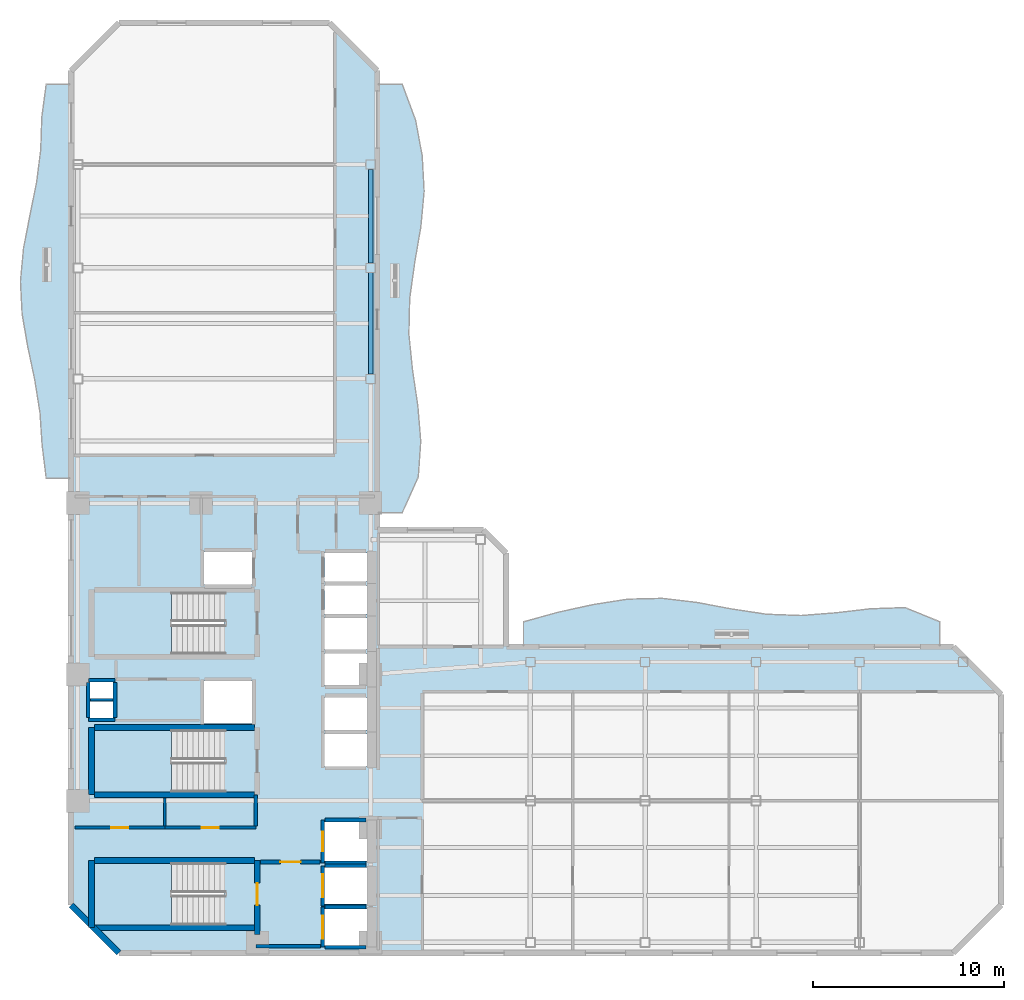
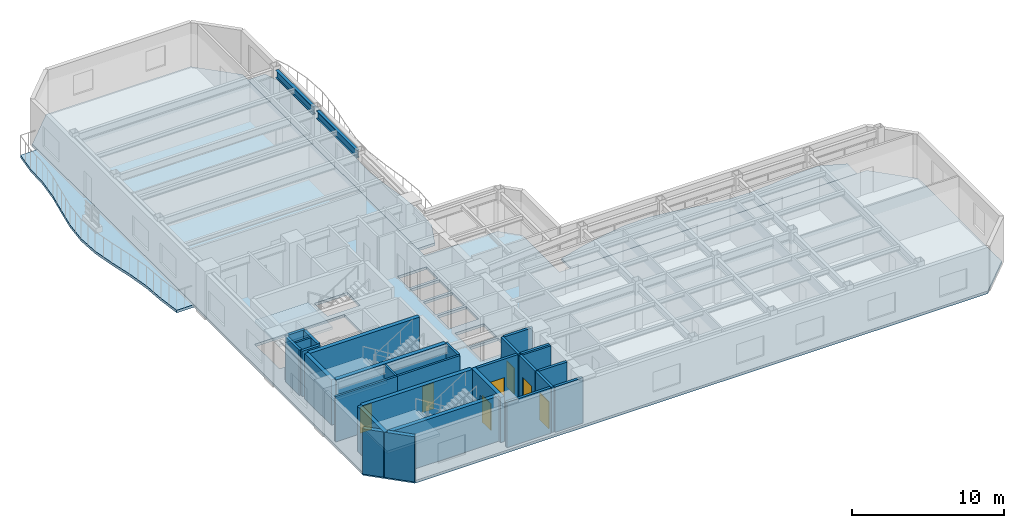
# One storey, part 2 of 9: 27 walls, 7 doors, 7 slabs, 2 beams, 7 openings, 3 elements without a shape of their own.
"""IFC4 building model written with IfcOpenShell, lengths in metres."""

import ifcopenshell
import ifcopenshell.guid

model = None  # the IFC model being written
_history = None  # IfcOwnerHistory: only IFC2X3 demands one
_inside = {}  # id of a spatial element -> (the spatial element, [elements in it])
_under = {}  # id of a project, library or spatial element -> (it, [spatial elements below it])
_declared = {}  # id of a project -> (the project, [libraries it declares])
_typed = {}  # id of a type object -> (the type object, [elements of that type])
_made_of = {}  # id of a material, layer set ... -> (it, [elements and type objects made of it])


def new_model(schema):
    """Start an empty IFC model of exactly this schema.

    Asked for "IFC4X3", IfcOpenShell would pick the latest addendum, in which some entities
    have other attributes; the version numbers below select the first issue.
    IFC2X3 requires an IfcOwnerHistory on every rooted entity: one is made here for all.
    """
    global model, _history
    if schema == "IFC4X3":
        model = ifcopenshell.file(schema_version=(4, 3, 0, 0))
    else:
        model = ifcopenshell.file(schema=schema)
    _inside.clear()
    _under.clear()
    _declared.clear()
    _typed.clear()
    _made_of.clear()
    _history = None
    if model.schema == "IFC2X3":
        org = make("IfcOrganization", Name="unknown")
        user = make(
            "IfcPersonAndOrganization",
            ThePerson=make("IfcPerson", FamilyName="unknown"),
            TheOrganization=org,
        )
        app = make(
            "IfcApplication",
            ApplicationDeveloper=org,
            Version="unknown",
            ApplicationFullName="unknown",
            ApplicationIdentifier="unknown",
        )
        _history = make(
            "IfcOwnerHistory",
            OwningUser=user,
            OwningApplication=app,
            ChangeAction="ADDED",
            CreationDate=0,
        )
    return model


def make(cls, **values):
    """One entity of the class cls with the attributes given. An attribute that is None is left unset."""
    return model.create_entity(
        cls, **{name: value for name, value in values.items() if value is not None}
    )


def rooted(cls, **values):
    """An entity with a GlobalId (a new one), such as an element, a storey or a relation."""
    return make(cls, GlobalId=ifcopenshell.guid.new(), OwnerHistory=_history, **values)


def si_unit(unit_type, name, prefix=None):
    """IfcSIUnit, for example si_unit("LENGTHUNIT", "METRE", prefix="MILLI")."""
    return make("IfcSIUnit", UnitType=unit_type, Prefix=prefix, Name=name)


def assignment(units):
    """IfcUnitAssignment: the units of a project."""
    return None if units is None else make("IfcUnitAssignment", Units=units)


def point(xyz):
    """IfcCartesianPoint."""
    return None if xyz is None else make("IfcCartesianPoint", Coordinates=xyz)


def direction(xyz):
    """IfcDirection."""
    return None if xyz is None else make("IfcDirection", DirectionRatios=xyz)


def frame(location, z_axis=None, x_axis=None):
    """IfcAxis2Placement3D, a coordinate frame: its origin and axes. An axis left out is left unset."""
    return make(
        "IfcAxis2Placement3D",
        Location=point(location),
        Axis=direction(z_axis),
        RefDirection=direction(x_axis),
    )


def frame_2d(location, x_axis=None):
    """IfcAxis2Placement2D, a coordinate frame in the plane: its origin and x axis."""
    return make(
        "IfcAxis2Placement2D", Location=point(location), RefDirection=direction(x_axis)
    )


def origin():
    """The frame at (0, 0, 0) with its axes left unset."""
    return frame((0.0, 0.0, 0.0))


def origin_2d():
    """The frame at (0, 0) in the plane with its x axis left unset."""
    return frame_2d((0.0, 0.0))


def place(relative_to, where):
    """IfcLocalPlacement: puts the frame where relative to a parent placement (None: the world)."""
    return make(
        "IfcLocalPlacement", PlacementRelTo=relative_to, RelativePlacement=where
    )


def context(
    kind, dimensions, precision=None, world=None, true_north=None, identifier=None
):
    """IfcGeometricRepresentationContext, for example the 3D "Model" context."""
    return make(
        "IfcGeometricRepresentationContext",
        ContextIdentifier=identifier,
        ContextType=kind,
        CoordinateSpaceDimension=dimensions,
        Precision=precision,
        WorldCoordinateSystem=world,
        TrueNorth=true_north,
    )


def subcontext(parent, identifier, kind, view, scale=None):
    """IfcGeometricRepresentationSubContext, for example "Body" below "Model"."""
    return make(
        "IfcGeometricRepresentationSubContext",
        ContextIdentifier=identifier,
        ContextType=kind,
        ParentContext=parent,
        TargetScale=scale,
        TargetView=view,
    )


def project(units=None, contexts=None):
    """IfcProject with its units and contexts."""
    return rooted(
        "IfcProject",
        Name="project",
        RepresentationContexts=contexts,
        UnitsInContext=assignment(units),
    )


def spatial(cls, under=None, at=None, **own):
    """A site, building, storey or space (cls), placed at a placement, below another one or the project."""
    s = rooted(cls, ObjectPlacement=at, **own)
    if under is not None:
        _under.setdefault(under.id(), (under, []))[1].append(s)
    return s


def polyline(points):
    """IfcPolyline through the points."""
    return make("IfcPolyline", Points=[point(p) for p in points])


def profile(cls, at=None, kind="AREA", **sizes):
    """A parametric profile (cls). Its sizes go by their IFC names, for example OverallWidth=200.0."""
    return make(cls, ProfileType=kind, Position=at, **sizes)


def rectangle(**sizes):
    """IfcRectangleProfileDef."""
    return profile("IfcRectangleProfileDef", **sizes)


def i_section(**sizes):
    """IfcIShapeProfileDef."""
    return profile("IfcIShapeProfileDef", **sizes)


def outline(outer, holes=None, kind="AREA"):
    """IfcArbitraryClosedProfileDef: a profile drawn as a closed curve; with holes, ...WithVoids."""
    if holes is None:
        return make("IfcArbitraryClosedProfileDef", ProfileType=kind, OuterCurve=outer)
    return make(
        "IfcArbitraryProfileDefWithVoids",
        ProfileType=kind,
        OuterCurve=outer,
        InnerCurves=holes,
    )


def extrude(swept, where, along, depth):
    """IfcExtrudedAreaSolid: the profile swept, set in the frame where, extruded along a direction by depth."""
    return make(
        "IfcExtrudedAreaSolid",
        SweptArea=swept,
        Position=where,
        ExtrudedDirection=direction(along),
        Depth=depth,
    )


def shape(context_of_items, identifier, shape_type, items):
    """IfcShapeRepresentation: the items that make up one representation, for example the "Body"."""
    return make(
        "IfcShapeRepresentation",
        ContextOfItems=context_of_items,
        RepresentationIdentifier=identifier,
        RepresentationType=shape_type,
        Items=items,
    )


def material(Name=None, Category=None):
    """IfcMaterial."""
    return make("IfcMaterial", Name=Name, Category=Category)


def layer(
    of_material, thickness, ventilated=None, Name=None, Category=None, Priority=None
):
    """IfcMaterialLayer: one layer of a wall or slab, of a material (None: an air gap)."""
    return make(
        "IfcMaterialLayer",
        Material=of_material,
        LayerThickness=thickness,
        IsVentilated=ventilated,
        Name=Name,
        Category=Category,
        Priority=Priority,
    )


def layer_set(layers, Name=None):
    """IfcMaterialLayerSet."""
    return make("IfcMaterialLayerSet", MaterialLayers=layers, LayerSetName=Name)


def material_profile(
    of_material, cross_section, Name=None, Category=None, Priority=None
):
    """IfcMaterialProfile: a cross section and its material."""
    return make(
        "IfcMaterialProfile",
        Name=Name,
        Material=of_material,
        Profile=cross_section,
        Priority=Priority,
        Category=Category,
    )


def profile_set(profiles, Name=None, composite=None):
    """IfcMaterialProfileSet."""
    return make(
        "IfcMaterialProfileSet",
        Name=Name,
        MaterialProfiles=profiles,
        CompositeProfile=composite,
    )


def made_of(thing, what):
    """Note that an element or type object is made of a material, layer set ...; save() writes the relation."""
    if what is not None:
        _made_of.setdefault(what.id(), (what, []))[1].append(thing)
    return thing


def type_object(cls, material=None, **own):
    """A type object (cls), such as IfcWallType, which elements share."""
    return made_of(rooted(cls, **own), material)


def element(
    cls,
    number,
    at=None,
    inside=None,
    cuts=None,
    type_object=None,
    material=None,
    context=None,
    identifier="Body",
    shape_type=None,
    held_by="IfcProductDefinitionShape",
    body=None,
    shapes=None,
    **own,
):
    """One element of the class cls, such as IfcWall. Its Tag is "e" and its number.

    at: its placement. inside: the storey or other place that contains it. cuts: it is an
    opening in that element (IfcRelVoidsElement). A single representation is given by context,
    identifier, shape_type and body (its items); several are given by shapes. held_by: the class
    of the entity that holds the representations. save() writes the other relations.
    """
    e = rooted(cls, Tag="e%d" % number, ObjectPlacement=at, **own)
    if body is not None:
        shapes = [shape(context, identifier, shape_type, body)]
    if shapes is not None:
        e.Representation = make(held_by, Representations=shapes)
    if inside is not None:
        _inside.setdefault(inside.id(), (inside, []))[1].append(e)
    if cuts is not None:
        rooted(
            "IfcRelVoidsElement", RelatingBuildingElement=cuts, RelatedOpeningElement=e
        )
    if type_object is not None:
        _typed.setdefault(type_object.id(), (type_object, []))[1].append(e)
    return made_of(e, material)


def fill(opening, filler):
    """IfcRelFillsElement: the door or window that sits in an opening."""
    return rooted(
        "IfcRelFillsElement",
        RelatingOpeningElement=opening,
        RelatedBuildingElement=filler,
    )


def aggregate(whole, parts):
    """IfcRelAggregates: a whole, such as a stair, and the parts it consists of."""
    return rooted("IfcRelAggregates", RelatingObject=whole, RelatedObjects=parts)


def save(model, path):
    """Write the relations noted so far, then the file.

    IfcRelAggregates (storeys below a building ...), IfcRelContainedInSpatialStructure (elements
    in a storey), IfcRelDefinesByType, IfcRelAssociatesMaterial and IfcRelDeclares: one each for
    every whole, place, type object, material and project.
    """
    for whole, parts in _under.values():
        aggregate(whole, parts)
    for where, things in _inside.values():
        rooted(
            "IfcRelContainedInSpatialStructure",
            RelatedElements=things,
            RelatingStructure=where,
        )
    for kind, things in _typed.values():
        rooted("IfcRelDefinesByType", RelatedObjects=things, RelatingType=kind)
    for what, things in _made_of.values():
        rooted("IfcRelAssociatesMaterial", RelatedObjects=things, RelatingMaterial=what)
    for by, libraries in _declared.values():
        rooted("IfcRelDeclares", RelatingContext=by, RelatedDefinitions=libraries)
    model.write(path)


model = new_model("IFC4")

# Units and contexts
model_context = context("Model", 3, precision=1e-05, world=origin(), true_north=direction((0.0, 1.0)))
body_context = subcontext(model_context, "Body", "Model", "MODEL_VIEW")
ifc_project = project(units=[si_unit("LENGTHUNIT", "METRE"), si_unit("AREAUNIT", "SQUARE_METRE"), si_unit("VOLUMEUNIT", "CUBIC_METRE"), si_unit("PLANEANGLEUNIT", "RADIAN"), si_unit("MASSUNIT", "GRAM", prefix="KILO")], contexts=[model_context])

# Site, building, storey
site_placement = place(None, origin())
site = spatial("IfcSite", under=ifc_project, at=site_placement, CompositionType="ELEMENT")
building_placement = place(site_placement, origin())
building = spatial("IfcBuilding", under=site, at=building_placement, Name="Mawjaban Terraces University", CompositionType="ELEMENT")
storey_placement = place(building_placement, frame((0.0, 0.0, 161.89990234375)))
storey = spatial("IfcBuildingStorey", under=building, at=storey_placement, Name="L39", CompositionType="ELEMENT", Elevation=161.89990234375)

# Beams
ifc_material_1 = material(Name="Steel ASTM A572 Grade 50", Category="steel")
ifc_material_profile = material_profile(ifc_material_1, i_section(OverallWidth=0.22998046875, OverallDepth=0.616943359375, WebThickness=0.01318359375, FlangeThickness=0.022216796875, at=origin_2d()), Name="W610X140")
ifc_profile_set = profile_set([ifc_material_profile], Name="Steel ASTM A572 Grade 50")
beam_type = type_object("IfcBeamType", Name="Beam_B_W610X140", PredefinedType="BEAM", material=ifc_profile_set)
beam_1_placement = place(storey_placement, frame((37.64990234375, 30.25, 3.3310546875), z_axis=(0.0, 1.0, 0.0), x_axis=(-1.0, 0.0, 0.0)))
element("IfcBeam", 1, at=beam_1_placement, inside=storey, type_object=beam_type, Name="L39 Beam BM-L39-NS-10", PredefinedType="BEAM", context=body_context, shape_type="SweptSolid", body=[
    extrude(i_section(OverallWidth=0.22998046875, OverallDepth=0.616943359375, WebThickness=0.01318359375, FlangeThickness=0.022216796875, at=origin_2d()), origin(), (0.0, 0.0, 1.0), 5.300048828125),
])
beam_2_placement = place(storey_placement, frame((37.64990234375, 36.050048828125, 3.3310546875), z_axis=(0.0, 1.0, 0.0), x_axis=(-1.0, 0.0, 0.0)))
element("IfcBeam", 2, at=beam_2_placement, inside=storey, type_object=beam_type, Name="L39 Beam BM-L39-NS-11", PredefinedType="BEAM", context=body_context, shape_type="SweptSolid", body=[
    extrude(i_section(OverallWidth=0.22998046875, OverallDepth=0.616943359375, WebThickness=0.01318359375, FlangeThickness=0.022216796875, at=origin_2d()), origin(), (0.0, 0.0, 1.0), 4.89990234375),
])

# Slabs
ifc_material_2 = material(Name="Concrete C40/50", Category="concrete")
ifc_layer_1 = layer(ifc_material_2, 0.2099609375)
ifc_layer_set_1 = layer_set([ifc_layer_1], Name="Concrete C40/50")
slab_type_1 = type_object("IfcSlabType", Name="BalconySlab_210_Ext", PredefinedType="FLOOR", material=ifc_layer_set_1)
slab_1_placement = place(storey_placement, frame((0.0, 0.0, -0.2099609375)))
element("IfcSlab", 3, at=slab_1_placement, inside=storey, type_object=slab_type_1, Name="L39 Planted Balcony Slab west", PredefinedType="FLOOR", context=body_context, shape_type="SweptSolid", body=[
    extrude(outline(polyline([(22.010009765625, 24.800048828125), (22.010009765625, 45.39990234375), (20.699951171875, 45.39990234375), (20.470947265625, 43.68310546875), (20.4140625, 41.967041015625), (20.194091796875, 40.25), (19.846923828125, 38.532958984375), (19.514892578125, 36.81689453125), (19.35400390625, 35.10009765625), (19.44189453125, 33.383056640625), (19.737060546875, 31.6669921875), (20.10009765625, 29.949951171875), (20.3740234375, 28.23291015625), (20.488037109375, 26.51708984375), (20.699951171875, 24.800048828125), (22.010009765625, 24.800048828125)])), origin(), (0.0, 0.0, 1.0), 0.2099609375),
])
slab_2_placement = place(storey_placement, frame((0.0, 0.0, -0.2099609375)))
element("IfcSlab", 4, at=slab_2_placement, inside=storey, type_object=slab_type_1, Name="L39 Planted Balcony Slab inner_north", PredefinedType="FLOOR", context=body_context, shape_type="SweptSolid", body=[
    extrude(outline(polyline([(45.64111328125, 15.989990234375), (67.39990234375, 15.989990234375), (67.39990234375, 17.300048828125), (65.5869140625, 18.0439453125), (63.77392578125, 17.98291015625), (61.9599609375, 17.77197265625), (60.14697265625, 17.6298828125), (58.333984375, 17.697998046875), (56.52001953125, 17.971923828125), (54.70703125, 18.31298828125), (52.89404296875, 18.527099609375), (51.0810546875, 18.485107421875), (49.26708984375, 18.198974609375), (47.4541015625, 17.802978515625), (45.64111328125, 17.300048828125), (45.64111328125, 15.989990234375)])), origin(), (0.0, 0.0, 1.0), 0.2099609375),
])
slab_3_placement = place(storey_placement, frame((0.0, 0.0, -0.2099609375)))
element("IfcSlab", 5, at=slab_3_placement, inside=storey, type_object=slab_type_1, Name="L39 Planted Balcony Slab inner_east", PredefinedType="FLOOR", context=body_context, shape_type="SweptSolid", body=[
    extrude(outline(polyline([(39.300048828125, 23.0), (40.14111328125, 24.866943359375), (40.27099609375, 26.73291015625), (40.117919921875, 28.60009765625), (39.840087890625, 30.467041015625), (39.64990234375, 32.3330078125), (39.693115234375, 34.199951171875), (39.9541015625, 36.06689453125), (40.27490234375, 37.93310546875), (40.447021484375, 39.800048828125), (40.345947265625, 41.6669921875), (39.998046875, 43.532958984375), (39.300048828125, 45.39990234375), (37.989990234375, 45.39990234375), (37.989990234375, 23.0), (39.300048828125, 23.0)])), origin(), (0.0, 0.0, 1.0), 0.2099609375),
])
ifc_layer_2 = layer(ifc_material_2, 0.2099609375)
ifc_layer_set_2 = layer_set([ifc_layer_2], Name="Concrete C40/50")
slab_type_2 = type_object("IfcSlabType", Name="CompositeSlab_210", PredefinedType="FLOOR", material=ifc_layer_set_2)
slab_4_placement = place(storey_placement, frame((0.0, 0.0, -0.2099609375)))
element("IfcSlab", 6, at=slab_4_placement, inside=storey, type_object=slab_type_2, Name="L39 Primary Structural Slab", PredefinedType="FLOOR", context=body_context, shape_type="SweptSolid", body=[
    extrude(outline(polyline([(24.5, 0.0), (68.10009765625, 0.0), (70.60009765625, 2.5), (70.60009765625, 13.5), (68.10009765625, 16.0), (44.740966796875, 16.0), (44.740966796875, 20.89990234375), (43.541015625, 22.10009765625), (38.0, 22.10009765625), (38.0, 46.10009765625), (35.5, 48.60009765625), (24.5, 48.60009765625), (22.0, 46.10009765625), (22.0, 2.5), (24.5, 0.0)]), holes=[polyline([(30.014892578125, 4.699951171875), (23.199951171875, 4.699951171875), (23.199951171875, 1.449951171875), (30.014892578125, 1.449951171875), (30.014892578125, 4.699951171875)]), polyline([(30.014892578125, 18.85009765625), (23.199951171875, 18.85009765625), (23.199951171875, 15.60009765625), (30.014892578125, 15.60009765625), (30.014892578125, 18.85009765625)]), polyline([(30.014892578125, 11.64990234375), (23.199951171875, 11.64990234375), (23.199951171875, 8.39990234375), (30.014892578125, 8.39990234375), (30.014892578125, 11.64990234375)]), polyline([(35.25, 0.39990234375), (37.449951171875, 0.39990234375), (37.449951171875, 2.300048828125), (35.25, 2.300048828125), (35.25, 0.39990234375)]), polyline([(35.25, 2.550048828125), (37.449951171875, 2.550048828125), (37.449951171875, 4.449951171875), (35.25, 4.449951171875), (35.25, 2.550048828125)]), polyline([(35.25, 4.800048828125), (37.449951171875, 4.800048828125), (37.449951171875, 6.85009765625), (35.25, 6.85009765625), (35.25, 4.800048828125)]), polyline([(35.25, 9.75), (37.449951171875, 9.75), (37.449951171875, 11.449951171875), (35.25, 11.449951171875), (35.25, 9.75)]), polyline([(35.25, 11.64990234375), (37.449951171875, 11.64990234375), (37.449951171875, 13.35009765625), (35.25, 13.35009765625), (35.25, 11.64990234375)]), polyline([(28.949951171875, 12.0), (31.449951171875, 12.0), (31.449951171875, 14.199951171875), (28.949951171875, 14.199951171875), (28.949951171875, 12.0)]), polyline([(35.25, 14.0), (37.449951171875, 14.0), (37.449951171875, 15.64990234375), (35.25, 15.64990234375), (35.25, 14.0)]), polyline([(35.25, 15.85009765625), (37.449951171875, 15.85009765625), (37.449951171875, 17.5), (35.25, 17.5), (35.25, 15.85009765625)]), polyline([(35.25, 17.699951171875), (37.449951171875, 17.699951171875), (37.449951171875, 19.199951171875), (35.25, 19.199951171875), (35.25, 17.699951171875)]), polyline([(35.25, 19.39990234375), (37.449951171875, 19.39990234375), (37.449951171875, 20.89990234375), (35.25, 20.89990234375), (35.25, 19.39990234375)]), polyline([(28.949951171875, 19.25), (31.449951171875, 19.25), (31.449951171875, 20.949951171875), (28.949951171875, 20.949951171875), (28.949951171875, 19.25)]), polyline([(23.0, 12.25), (24.199951171875, 12.25), (24.199951171875, 13.14990234375), (23.0, 13.14990234375), (23.0, 12.25)]), polyline([(23.0, 13.300048828125), (24.199951171875, 13.300048828125), (24.199951171875, 14.179931640625), (23.0, 14.179931640625), (23.0, 13.300048828125)])]), origin(), (0.0, 0.0, 1.0), 0.2099609375),
])

# Stair, slab
stair_type = type_object("IfcStairType", Name="Stair_Core1550_H39", PredefinedType="HALF_TURN_STAIR", material=ifc_material_2)
stair_1_placement = place(storey_placement, origin())
stair_1 = element("IfcStair", 7, at=stair_1_placement, inside=storey, type_object=stair_type, Name="L39 Core Exit Stair 1", PredefinedType="HALF_TURN_STAIR")
ifc_layer_3 = layer(ifc_material_2, 0.199951171875)
ifc_layer_set_3 = layer_set([ifc_layer_3], Name="Concrete C40/50")
slab_type_3 = type_object("IfcSlabType", Name="StairLandingSlab_200", PredefinedType="LANDING", material=ifc_layer_set_3)
slab_5_placement = place(storey_placement, frame((0.0, 0.0, 1.75)))
slab_5 = element("IfcSlab", 8, at=slab_5_placement, type_object=slab_type_3, Name="ST-1 landing 1", PredefinedType="LANDING", context=body_context, shape_type="SweptSolid", body=[
    extrude(outline(polyline([(27.25, 4.699951171875), (23.199951171875, 4.699951171875), (23.199951171875, 1.449951171875), (27.25, 1.449951171875), (27.25, 4.699951171875)])), origin(), (0.0, 0.0, 1.0), 0.2001953125),
])
aggregate(stair_1, [slab_5])

stair_2_placement = place(storey_placement, origin())
stair_2 = element("IfcStair", 9, at=stair_2_placement, inside=storey, type_object=stair_type, Name="L39 Core Exit Stair 2", PredefinedType="HALF_TURN_STAIR")
slab_6_placement = place(storey_placement, frame((0.0, 0.0, 1.75)))
slab_6 = element("IfcSlab", 10, at=slab_6_placement, type_object=slab_type_3, Name="ST-2 landing 1", PredefinedType="LANDING", context=body_context, shape_type="SweptSolid", body=[
    extrude(outline(polyline([(27.25, 18.85009765625), (23.199951171875, 18.85009765625), (23.199951171875, 15.60009765625), (27.25, 15.60009765625), (27.25, 18.85009765625)])), origin(), (0.0, 0.0, 1.0), 0.2001953125),
])
aggregate(stair_2, [slab_6])

stair_3_placement = place(storey_placement, origin())
stair_3 = element("IfcStair", 11, at=stair_3_placement, inside=storey, type_object=stair_type, Name="L39 Core Exit Stair 3", PredefinedType="HALF_TURN_STAIR")
slab_7_placement = place(storey_placement, frame((0.0, 0.0, 1.75)))
slab_7 = element("IfcSlab", 12, at=slab_7_placement, type_object=slab_type_3, Name="ST-3 landing 1", PredefinedType="LANDING", context=body_context, shape_type="SweptSolid", body=[
    extrude(outline(polyline([(27.25, 11.64990234375), (23.199951171875, 11.64990234375), (23.199951171875, 8.39990234375), (27.25, 8.39990234375), (27.25, 11.64990234375)])), origin(), (0.0, 0.0, 1.0), 0.2001953125),
])
aggregate(stair_3, [slab_7])

# Wall, opening, door
ifc_material_3 = material(Name="Fire-rated gypsum board on steel stud", Category="steel")
ifc_layer_4 = layer(ifc_material_3, 0.159912109375)
ifc_layer_set_4 = layer_set([ifc_layer_4], Name="Fire-rated gypsum board on steel stud")
wall_type_1 = type_object("IfcWallType", Name="CorridorPartition_160", PredefinedType="PARTITIONING", material=ifc_layer_set_4)
wall_1_placement = place(storey_placement, frame((26.89990234375, 6.550048828125, 0.0), z_axis=(0.0, 0.0, 1.0), x_axis=(-1.0, 0.0, 0.0)))
wall_1 = element("IfcWall", 13, at=wall_1_placement, inside=storey, type_object=wall_type_1, Name="L39 Core Washroom Lobby Partition 4", PredefinedType="PARTITIONING", context=body_context, shape_type="SweptSolid", body=[
    extrude(rectangle(XDim=4.699951171875, YDim=0.159912109375, at=frame_2d((2.35009765625, 0.0))), origin(), (0.0, 0.0, 1.0), 3.64013671875),
])
opening_1_placement = place(wall_1_placement, frame((1.909912109375, 0.0, 0.0)))
opening_1 = element("IfcOpeningElement", 14, at=opening_1_placement, cuts=wall_1, Name="Opening ID-088", PredefinedType="OPENING", context=body_context, shape_type="SweptSolid", body=[
    extrude(rectangle(XDim=0.8798828125, YDim=2.10009765625, at=frame_2d((0.43994140625, 1.050048828125))), frame((0.0, 0.08984375, 0.0), z_axis=(0.0, -1.0, 0.0), x_axis=(1.0, 0.0, 0.0)), (0.0, 0.0, 1.0), 0.179931640625),
])
ifc_material_4 = material(Name="Powder-coated steel frame and solid acoustic timber leaf", Category="steel")
door_type_1 = type_object("IfcDoorType", Name="ToiletDoor_880x2100", OperationType="NOTDEFINED", PredefinedType="DOOR", material=ifc_material_4)
door_1_placement = place(opening_1_placement, origin())
door_1 = element("IfcDoor", 15, at=door_1_placement, inside=storey, type_object=door_type_1, Name="L39 Male Toilet Door", OperationType="SINGLE_SWING_LEFT", OverallHeight=2.10009765625, OverallWidth=0.8798828125, PredefinedType="DOOR", context=body_context, shape_type="SweptSolid", body=[
    extrude(rectangle(XDim=0.8798828125, YDim=2.10009765625, at=frame_2d((0.43994140625, 1.050048828125))), frame((0.0, 0.02490234375, 0.0), z_axis=(0.0, -1.0, 0.0), x_axis=(1.0, 0.0, 0.0)), (0.0, 0.0, 1.0), 0.050048828125),
])
fill(opening_1, door_1)

wall_2_placement = place(storey_placement, frame((31.64990234375, 6.550048828125, 0.0), z_axis=(0.0, 0.0, 1.0), x_axis=(-1.0, 0.0, 0.0)))
wall_2 = element("IfcWall", 16, at=wall_2_placement, inside=storey, type_object=wall_type_1, Name="L39 Core Washroom Lobby Partition 7", PredefinedType="PARTITIONING", context=body_context, shape_type="SweptSolid", body=[
    extrude(rectangle(XDim=4.75, YDim=0.159912109375, at=frame_2d((2.375, 0.0))), origin(), (0.0, 0.0, 1.0), 3.64013671875),
])
opening_2_placement = place(wall_2_placement, frame((1.93505859375, 0.0, 0.0)))
opening_2 = element("IfcOpeningElement", 17, at=opening_2_placement, cuts=wall_2, Name="Opening ID-088", PredefinedType="OPENING", context=body_context, shape_type="SweptSolid", body=[
    extrude(rectangle(XDim=0.8798828125, YDim=2.10009765625, at=frame_2d((0.43994140625, 1.050048828125))), frame((0.0, 0.08984375, 0.0), z_axis=(0.0, -1.0, 0.0), x_axis=(1.0, 0.0, 0.0)), (0.0, 0.0, 1.0), 0.179931640625),
])
door_2_placement = place(opening_2_placement, origin())
door_2 = element("IfcDoor", 18, at=door_2_placement, inside=storey, type_object=door_type_1, Name="L39 Accessible Toilet Door", OperationType="SINGLE_SWING_RIGHT", OverallHeight=2.10009765625, OverallWidth=0.8798828125, PredefinedType="DOOR", context=body_context, shape_type="SweptSolid", body=[
    extrude(rectangle(XDim=0.8798828125, YDim=2.10009765625, at=frame_2d((0.43994140625, 1.050048828125))), frame((0.0, 0.02490234375, 0.0), z_axis=(0.0, -1.0, 0.0), x_axis=(1.0, 0.0, 0.0)), (0.0, 0.0, 1.0), 0.050048828125),
])
fill(opening_2, door_2)

# Walls
wall_3_placement = place(storey_placement, frame((31.64990234375, 8.239990234375, 0.0), z_axis=(0.0, 0.0, 1.0), x_axis=(0.0, -1.0, 0.0)))
element("IfcWall", 19, at=wall_3_placement, inside=storey, type_object=wall_type_1, Name="L39 Passenger Lift Lobby Partition 31", PredefinedType="PARTITIONING", context=body_context, shape_type="SweptSolid", body=[
    extrude(rectangle(XDim=1.614990234375, YDim=0.159912109375, at=frame_2d((0.8076171875, 0.0))), origin(), (0.0, 0.0, 1.0), 3.64013671875),
])
ifc_material_5 = material(Name="Insulated terracotta rainscreen on concrete backup C40/50", Category="masonry")
ifc_layer_5 = layer(ifc_material_5, 0.300048828125)
ifc_layer_set_5 = layer_set([ifc_layer_5], Name="Insulated terracotta rainscreen on concrete backup C40/50")
wall_type_2 = type_object("IfcWallType", Name="ExtTerracottaWall_300", PredefinedType="SOLIDWALL", material=ifc_layer_set_5)
wall_4_placement = place(storey_placement, frame((22.0, 2.5, 0.0), z_axis=(0.0, 0.0, 1.0), x_axis=(0.707106781187, -0.707106781187, 0.0)))
element("IfcWall", 20, at=wall_4_placement, inside=storey, type_object=wall_type_2, Name="L39 Exterior Terracotta Wall 14", PredefinedType="SOLIDWALL", context=body_context, shape_type="SweptSolid", body=[
    extrude(rectangle(XDim=3.53564453125, YDim=0.300048828125, at=frame_2d((1.767822265625, 0.0))), origin(), (0.0, 0.0, 1.0), 3.64013671875),
])

# Wall, opening, door
ifc_layer_6 = layer(ifc_material_2, 0.199951171875)
ifc_layer_set_6 = layer_set([ifc_layer_6], Name="Concrete C40/50")
wall_type_3 = type_object("IfcWallType", Name="FireLobbyWall_200", PredefinedType="SOLIDWALL", material=ifc_layer_set_6)
wall_5_placement = place(storey_placement, frame((35.14990234375, 2.39990234375, 0.0), z_axis=(0.0, 0.0, 1.0), x_axis=(0.0, -1.0, 0.0)))
wall_5 = element("IfcWall", 21, at=wall_5_placement, inside=storey, type_object=wall_type_3, Name="L39 Lift FL-1 Hoistway Wall West", PredefinedType="SOLIDWALL", context=body_context, shape_type="SweptSolid", body=[
    extrude(rectangle(XDim=2.099853515625, YDim=0.199951171875, at=frame_2d((1.0498046875, 0.0))), origin(), (0.0, 0.0, 1.0), 3.64013671875),
])
opening_3_placement = place(wall_5_placement, frame((0.449951171875, 0.0, 0.0)))
opening_3 = element("IfcOpeningElement", 22, at=opening_3_placement, cuts=wall_5, Name="Opening LD-FL-1", PredefinedType="OPENING", context=body_context, shape_type="SweptSolid", body=[
    extrude(rectangle(XDim=1.199951171875, YDim=2.14990234375, at=frame_2d((0.60009765625, 1.074951171875))), frame((0.0, 0.10986328125, 0.0), z_axis=(0.0, -1.0, 0.0), x_axis=(1.0, 0.0, 0.0)), (0.0, 0.0, 1.0), 0.219970703125),
])
ifc_material_6 = material(Name="Powder-coated steel frame and fire-rated steel-faced leaf", Category="steel")
door_type_2 = type_object("IfcDoorType", Name="LiftLandingFSAE_1200x2150", OperationType="NOTDEFINED", PredefinedType="DOOR", material=ifc_material_6)
door_3_placement = place(opening_3_placement, origin())
door_3 = element("IfcDoor", 23, at=door_3_placement, inside=storey, type_object=door_type_2, Name="L39 Lift FL-1 Sliding Landing Door", OperationType="DOUBLE_DOOR_SLIDING", OverallHeight=2.14990234375, OverallWidth=1.199951171875, PredefinedType="DOOR", context=body_context, shape_type="SweptSolid", body=[
    extrude(rectangle(XDim=1.199951171875, YDim=2.14990234375, at=frame_2d((0.60009765625, 1.074951171875))), frame((0.0, 0.02490234375, 0.0), z_axis=(0.0, -1.0, 0.0), x_axis=(1.0, 0.0, 0.0)), (0.0, 0.0, 1.0), 0.050048828125),
])
fill(opening_3, door_3)

# Walls
for number, where, z_axis, x_axis, name in (
    (24, (35.280029296875, 0.300048828125, 0.0), (0.0, 0.0, 1.0), (1.0, 0.0, 0.0), "L39 Lift FL-1 Hoistway Wall South"),
    (25, (37.419921875, 2.39990234375, 0.0), (0.0, 0.0, 1.0), (-1.0, 0.0, 0.0), "L39 Lift FL-1 Hoistway Wall North"),
):
    element("IfcWall", number, at=place(storey_placement, frame(where, z_axis=z_axis, x_axis=x_axis)), inside=storey, type_object=wall_type_3, Name=name, PredefinedType="SOLIDWALL", context=body_context, shape_type="SweptSolid", body=[
        extrude(rectangle(XDim=2.139892578125, YDim=0.199951171875, at=frame_2d((1.06982421875, 0.0))), origin(), (0.0, 0.0, 1.0), 3.64013671875),
    ])

# Wall, opening, door
wall_6_placement = place(storey_placement, frame((35.14990234375, 4.550048828125, 0.0), z_axis=(0.0, 0.0, 1.0), x_axis=(0.0, -1.0, 0.0)))
wall_6 = element("IfcWall", 26, at=wall_6_placement, inside=storey, type_object=wall_type_3, Name="L39 Lift FL-2 Hoistway Wall West", PredefinedType="SOLIDWALL", context=body_context, shape_type="SweptSolid", body=[
    extrude(rectangle(XDim=2.10009765625, YDim=0.199951171875, at=frame_2d((1.050048828125, 0.0))), origin(), (0.0, 0.0, 1.0), 3.64013671875),
])
opening_4_placement = place(wall_6_placement, frame((0.449951171875, 0.0, 0.0)))
opening_4 = element("IfcOpeningElement", 27, at=opening_4_placement, cuts=wall_6, Name="Opening LD-FL-2", PredefinedType="OPENING", context=body_context, shape_type="SweptSolid", body=[
    extrude(rectangle(XDim=1.199951171875, YDim=2.14990234375, at=frame_2d((0.60009765625, 1.074951171875))), frame((0.0, 0.10986328125, 0.0), z_axis=(0.0, -1.0, 0.0), x_axis=(1.0, 0.0, 0.0)), (0.0, 0.0, 1.0), 0.219970703125),
])
door_4_placement = place(opening_4_placement, origin())
door_4 = element("IfcDoor", 28, at=door_4_placement, inside=storey, type_object=door_type_2, Name="L39 Lift FL-2 Sliding Landing Door", OperationType="DOUBLE_DOOR_SLIDING", OverallHeight=2.14990234375, OverallWidth=1.199951171875, PredefinedType="DOOR", context=body_context, shape_type="SweptSolid", body=[
    extrude(rectangle(XDim=1.199951171875, YDim=2.14990234375, at=frame_2d((0.60009765625, 1.074951171875))), frame((0.0, 0.02490234375, 0.0), z_axis=(0.0, -1.0, 0.0), x_axis=(1.0, 0.0, 0.0)), (0.0, 0.0, 1.0), 0.050048828125),
])
fill(opening_4, door_4)

# Wall
wall_7_placement = place(storey_placement, frame((37.419921875, 4.550048828125, 0.0), z_axis=(0.0, 0.0, 1.0), x_axis=(-1.0, 0.0, 0.0)))
element("IfcWall", 29, at=wall_7_placement, inside=storey, type_object=wall_type_3, Name="L39 Lift FL-2 Hoistway Wall North", PredefinedType="SOLIDWALL", context=body_context, shape_type="SweptSolid", body=[
    extrude(rectangle(XDim=2.139892578125, YDim=0.199951171875, at=frame_2d((1.06982421875, 0.0))), origin(), (0.0, 0.0, 1.0), 3.64013671875),
])

# Wall, opening, door
wall_8_placement = place(storey_placement, frame((35.14990234375, 6.949951171875, 0.0), z_axis=(0.0, 0.0, 1.0), x_axis=(0.0, -1.0, 0.0)))
wall_8 = element("IfcWall", 30, at=wall_8_placement, inside=storey, type_object=wall_type_3, Name="L39 Lift SL-1 Hoistway Wall West", PredefinedType="SOLIDWALL", context=body_context, shape_type="SweptSolid", body=[
    extrude(rectangle(XDim=2.25, YDim=0.199951171875, at=frame_2d((1.125, 0.0))), origin(), (0.0, 0.0, 1.0), 3.64013671875),
])
opening_5_placement = place(wall_8_placement, frame((0.625, 0.0, 0.0)))
opening_5 = element("IfcOpeningElement", 31, at=opening_5_placement, cuts=wall_8, Name="Opening LD-SL-1", PredefinedType="OPENING", context=body_context, shape_type="SweptSolid", body=[
    extrude(rectangle(XDim=1.0, YDim=2.10009765625, at=frame_2d((0.5, 1.050048828125))), frame((0.0, 0.10986328125, 0.0), z_axis=(0.0, -1.0, 0.0), x_axis=(1.0, 0.0, 0.0)), (0.0, 0.0, 1.0), 0.219970703125),
])
door_type_3 = type_object("IfcDoorType", Name="LiftLandingSliding_1000x2100", OperationType="NOTDEFINED", PredefinedType="DOOR", material=ifc_material_6)
door_5_placement = place(opening_5_placement, origin())
door_5 = element("IfcDoor", 32, at=door_5_placement, inside=storey, type_object=door_type_3, Name="L39 Lift SL-1 Sliding Landing Door", OperationType="DOUBLE_DOOR_SLIDING", OverallHeight=2.10009765625, OverallWidth=1.0, PredefinedType="DOOR", context=body_context, shape_type="SweptSolid", body=[
    extrude(rectangle(XDim=1.0, YDim=2.10009765625, at=frame_2d((0.5, 1.050048828125))), frame((0.0, 0.02490234375, 0.0), z_axis=(0.0, -1.0, 0.0), x_axis=(1.0, 0.0, 0.0)), (0.0, 0.0, 1.0), 0.050048828125),
])
fill(opening_5, door_5)

# Walls
for number, where, z_axis, x_axis, name in (
    (33, (35.280029296875, 4.699951171875, 0.0), (0.0, 0.0, 1.0), (1.0, 0.0, 0.0), "L39 Lift SL-1 Hoistway Wall South"),
    (34, (37.419921875, 6.949951171875, 0.0), (0.0, 0.0, 1.0), (-1.0, 0.0, 0.0), "L39 Lift SL-1 Hoistway Wall North"),
):
    element("IfcWall", number, at=place(storey_placement, frame(where, z_axis=z_axis, x_axis=x_axis)), inside=storey, type_object=wall_type_3, Name=name, PredefinedType="SOLIDWALL", context=body_context, shape_type="SweptSolid", body=[
        extrude(rectangle(XDim=2.139892578125, YDim=0.199951171875, at=frame_2d((1.06982421875, 0.0))), origin(), (0.0, 0.0, 1.0), 3.64013671875),
    ])
for number, where, z_axis, x_axis, name in (
    (35, (22.89990234375, 14.25, 0.0), (0.0, 0.0, 1.0), (1.0, 0.0, 0.0), "L39 MEP Riser Shaft Wall N"),
    (36, (22.89990234375, 12.179931640625, 0.0), (0.0, 0.0, 1.0), (1.0, 0.0, 0.0), "L39 MEP Riser Shaft Wall S"),
):
    element("IfcWall", number, at=place(storey_placement, frame(where, z_axis=z_axis, x_axis=x_axis)), inside=storey, type_object=wall_type_3, Name=name, PredefinedType="SOLIDWALL", context=body_context, shape_type="SweptSolid", body=[
        extrude(rectangle(XDim=1.400146484375, YDim=0.199951171875, at=frame_2d((0.7001953125, 0.0))), origin(), (0.0, 0.0, 1.0), 3.64013671875),
    ])
for number, where, z_axis, x_axis, name in (
    (37, (24.300048828125, 12.300048828125, 0.0), (0.0, 0.0, 1.0), (0.0, 1.0, 0.0), "L39 MEP Riser Shaft Wall E"),
    (38, (22.89990234375, 12.300048828125, 0.0), (0.0, 0.0, 1.0), (0.0, 1.0, 0.0), "L39 MEP Riser Shaft Wall W"),
):
    element("IfcWall", number, at=place(storey_placement, frame(where, z_axis=z_axis, x_axis=x_axis)), inside=storey, type_object=wall_type_3, Name=name, PredefinedType="SOLIDWALL", context=body_context, shape_type="SweptSolid", body=[
        extrude(rectangle(XDim=1.829833984375, YDim=0.199951171875, at=frame_2d((0.9150390625, 0.0))), origin(), (0.0, 0.0, 1.0), 3.64013671875),
    ])
wall_9_placement = place(storey_placement, frame((31.64990234375, 0.35009765625, 0.0), z_axis=(0.0, 0.0, 1.0), x_axis=(1.0, 0.0, 0.0)))
element("IfcWall", 39, at=wall_9_placement, inside=storey, type_object=wall_type_3, Name="L39 Firefighting Lift Lobby Partition 6", PredefinedType="SOLIDWALL", context=body_context, shape_type="SweptSolid", body=[
    extrude(rectangle(XDim=3.3701171875, YDim=0.199951171875, at=frame_2d((1.68505859375, 0.0))), origin(), (0.0, 0.0, 1.0), 3.64013671875),
])

# Wall, opening, door
wall_10_placement = place(storey_placement, frame((35.02001953125, 4.75, 0.0), z_axis=(0.0, 0.0, 1.0), x_axis=(-1.0, 0.0, 0.0)))
wall_10 = element("IfcWall", 40, at=wall_10_placement, inside=storey, type_object=wall_type_3, Name="L39 Firefighting Lift Lobby Partition 9", PredefinedType="SOLIDWALL", context=body_context, shape_type="SweptSolid", body=[
    extrude(rectangle(XDim=3.110107421875, YDim=0.199951171875, at=frame_2d((1.55517578125, 0.0))), origin(), (0.0, 0.0, 1.0), 3.64013671875),
])
opening_6_placement = place(wall_10_placement, frame((1.030029296875, 0.0, 0.0)))
opening_6 = element("IfcOpeningElement", 41, at=opening_6_placement, cuts=wall_10, Name="Opening FD-105", PredefinedType="OPENING", context=body_context, shape_type="SweptSolid", body=[
    extrude(rectangle(XDim=1.050048828125, YDim=2.14990234375, at=frame_2d((0.52490234375, 1.074951171875))), frame((0.0, 0.10986328125, 0.0), z_axis=(0.0, -1.0, 0.0), x_axis=(1.0, 0.0, 0.0)), (0.0, 0.0, 1.0), 0.219970703125),
])
door_type_4 = type_object("IfcDoorType", Name="FireLobbyDoor_1050x2150", OperationType="NOTDEFINED", PredefinedType="DOOR", material=ifc_material_6)
door_6_placement = place(opening_6_placement, origin())
door_6 = element("IfcDoor", 42, at=door_6_placement, inside=storey, type_object=door_type_4, Name="L39 Firefighting Lift Lobby Door", OperationType="SINGLE_SWING_LEFT", OverallHeight=2.14990234375, OverallWidth=1.050048828125, PredefinedType="DOOR", context=body_context, shape_type="SweptSolid", body=[
    extrude(rectangle(XDim=1.050048828125, YDim=2.14990234375, at=frame_2d((0.52490234375, 1.074951171875))), frame((0.0, 0.02490234375, 0.0), z_axis=(0.0, -1.0, 0.0), x_axis=(1.0, 0.0, 0.0)), (0.0, 0.0, 1.0), 0.050048828125),
])
fill(opening_6, door_6)

# Walls
ifc_material_7 = material(Name="Moisture-resistant gypsum board on steel stud", Category="steel")
ifc_layer_7 = layer(ifc_material_7, 0.14501953125)
ifc_layer_set_7 = layer_set([ifc_layer_7], Name="Moisture-resistant gypsum board on steel stud")
wall_type_4 = type_object("IfcWallType", Name="LabPartition_145", PredefinedType="PARTITIONING", material=ifc_layer_set_7)
wall_11_placement = place(storey_placement, frame((23.010009765625, 13.22509765625, 0.0), z_axis=(0.0, 0.0, 1.0), x_axis=(1.0, 0.0, 0.0)))
element("IfcWall", 43, at=wall_11_placement, inside=storey, type_object=wall_type_4, Name="L39 MEP Riser Shaft Wall M", PredefinedType="PARTITIONING", context=body_context, shape_type="SweptSolid", body=[
    extrude(rectangle(XDim=1.179931640625, YDim=0.14501953125, at=frame_2d((0.58984375, 0.0))), origin(), (0.0, 0.0, 1.0), 3.64013671875),
])
ifc_material_8 = material(Name="Concrete C60/75", Category="concrete")
ifc_layer_8 = layer(ifc_material_8, 0.300048828125)
ifc_layer_set_8 = layer_set([ifc_layer_8], Name="Concrete C60/75")
wall_type_5 = type_object("IfcWallType", Name="StairShaftWall_300", PredefinedType="SHEAR", material=ifc_layer_set_8)
wall_12_placement = place(storey_placement, frame((31.580078125, 4.830078125, 0.0), z_axis=(0.0, 0.0, 1.0), x_axis=(-1.0, 0.0, 0.0)))
element("IfcWall", 44, at=wall_12_placement, inside=storey, type_object=wall_type_5, Name="L39 ST-1 Stair Shaft Wall 1", PredefinedType="SHEAR", context=body_context, shape_type="SweptSolid", body=[
    extrude(rectangle(XDim=8.360107421875, YDim=0.300048828125, at=frame_2d((4.18017578125, 0.0))), origin(), (0.0, 0.0, 1.0), 3.64013671875),
])
wall_13_placement = place(storey_placement, frame((23.070068359375, 4.830078125, 0.0), z_axis=(0.0, 0.0, 1.0), x_axis=(0.0, -1.0, 0.0)))
element("IfcWall", 45, at=wall_13_placement, inside=storey, type_object=wall_type_5, Name="L39 ST-1 Stair Shaft Wall 2", PredefinedType="SHEAR", context=body_context, shape_type="SweptSolid", body=[
    extrude(rectangle(XDim=3.510009765625, YDim=0.300048828125, at=frame_2d((1.7548828125, 0.0))), origin(), (0.0, 0.0, 1.0), 3.64013671875),
])
wall_14_placement = place(storey_placement, frame((23.219970703125, 1.320068359375, 0.0), z_axis=(0.0, 0.0, 1.0), x_axis=(1.0, 0.0, 0.0)))
element("IfcWall", 46, at=wall_14_placement, inside=storey, type_object=wall_type_5, Name="L39 ST-1 Stair Shaft Wall 3", PredefinedType="SHEAR", context=body_context, shape_type="SweptSolid", body=[
    extrude(rectangle(XDim=8.360107421875, YDim=0.300048828125, at=frame_2d((4.18017578125, 0.0))), origin(), (0.0, 0.0, 1.0), 3.64013671875),
])

# Wall, opening, door
wall_15_placement = place(storey_placement, frame((31.72998046875, 0.9599609375, 0.0), z_axis=(0.0, 0.0, 1.0), x_axis=(0.0, 1.0, 0.0)))
wall_15 = element("IfcWall", 47, at=wall_15_placement, inside=storey, type_object=wall_type_5, Name="L39 ST-1 Stair Shaft Wall 4", PredefinedType="SHEAR", context=body_context, shape_type="SweptSolid", body=[
    extrude(rectangle(XDim=3.8701171875, YDim=0.300048828125, at=frame_2d((1.93505859375, 0.0))), origin(), (0.0, 0.0, 1.0), 3.64013671875),
])
opening_7_placement = place(wall_15_placement, frame((1.5400390625, 0.0, 0.0)))
opening_7 = element("IfcOpeningElement", 48, at=opening_7_placement, cuts=wall_15, Name="Opening FD-115", PredefinedType="OPENING", context=body_context, shape_type="SweptSolid", body=[
    extrude(rectangle(XDim=1.14990234375, YDim=2.14990234375, at=frame_2d((0.574951171875, 1.074951171875))), frame((0.0, 0.159912109375, 0.0), z_axis=(0.0, -1.0, 0.0), x_axis=(1.0, 0.0, 0.0)), (0.0, 0.0, 1.0), 0.320068359375),
])
door_type_5 = type_object("IfcDoorType", Name="FireStairDoor_1150x2150", OperationType="NOTDEFINED", PredefinedType="DOOR", material=ifc_material_6)
door_7_placement = place(opening_7_placement, origin())
door_7 = element("IfcDoor", 49, at=door_7_placement, inside=storey, type_object=door_type_5, Name="L39 ST-1 Pressurised Stair Fire Door", OperationType="SINGLE_SWING_RIGHT", OverallHeight=2.14990234375, OverallWidth=1.14990234375, PredefinedType="DOOR", context=body_context, shape_type="SweptSolid", body=[
    extrude(rectangle(XDim=1.14990234375, YDim=2.14990234375, at=frame_2d((0.574951171875, 1.074951171875))), frame((0.0, 0.02490234375, 0.0), z_axis=(0.0, -1.0, 0.0), x_axis=(1.0, 0.0, 0.0)), (0.0, 0.0, 1.0), 0.050048828125),
])
fill(opening_7, door_7)

# Walls
wall_16_placement = place(storey_placement, frame((31.580078125, 11.780029296875, 0.0), z_axis=(0.0, 0.0, 1.0), x_axis=(-1.0, 0.0, 0.0)))
element("IfcWall", 50, at=wall_16_placement, inside=storey, type_object=wall_type_5, Name="L39 ST-3 Stair Shaft Wall 1", PredefinedType="SHEAR", context=body_context, shape_type="SweptSolid", body=[
    extrude(rectangle(XDim=8.360107421875, YDim=0.300048828125, at=frame_2d((4.18017578125, 0.0))), origin(), (0.0, 0.0, 1.0), 3.64013671875),
])
wall_17_placement = place(storey_placement, frame((23.070068359375, 11.780029296875, 0.0), z_axis=(0.0, 0.0, 1.0), x_axis=(0.0, -1.0, 0.0)))
element("IfcWall", 51, at=wall_17_placement, inside=storey, type_object=wall_type_5, Name="L39 ST-3 Stair Shaft Wall 2", PredefinedType="SHEAR", context=body_context, shape_type="SweptSolid", body=[
    extrude(rectangle(XDim=3.510009765625, YDim=0.300048828125, at=frame_2d((1.7548828125, 0.0))), origin(), (0.0, 0.0, 1.0), 3.64013671875),
])
wall_18_placement = place(storey_placement, frame((23.219970703125, 8.27001953125, 0.0), z_axis=(0.0, 0.0, 1.0), x_axis=(1.0, 0.0, 0.0)))
element("IfcWall", 52, at=wall_18_placement, inside=storey, type_object=wall_type_5, Name="L39 ST-3 Stair Shaft Wall 3", PredefinedType="SHEAR", context=body_context, shape_type="SweptSolid", body=[
    extrude(rectangle(XDim=8.360107421875, YDim=0.300048828125, at=frame_2d((4.18017578125, 0.0))), origin(), (0.0, 0.0, 1.0), 3.64013671875),
])
ifc_material_9 = material(Name="Cement-board wet-room partition", Category="masonry")
ifc_layer_9 = layer(ifc_material_9, 0.135009765625)
ifc_layer_set_9 = layer_set([ifc_layer_9], Name="Cement-board wet-room partition")
wall_type_6 = type_object("IfcWallType", Name="WetRoomPartition_135", PredefinedType="PARTITIONING", material=ifc_layer_set_9)
wall_19_placement = place(storey_placement, frame((26.89990234375, 6.625, 0.0), z_axis=(0.0, 0.0, 1.0), x_axis=(0.0, 1.0, 0.0)))
element("IfcWall", 53, at=wall_19_placement, inside=storey, type_object=wall_type_6, Name="L39 Male Toilet Partition 29", PredefinedType="PARTITIONING", context=body_context, shape_type="SweptSolid", body=[
    extrude(rectangle(XDim=1.465087890625, YDim=0.135009765625, at=frame_2d((0.732421875, 0.0))), origin(), (0.0, 0.0, 1.0), 3.64013671875),
])

save(model, "model.ifc")
